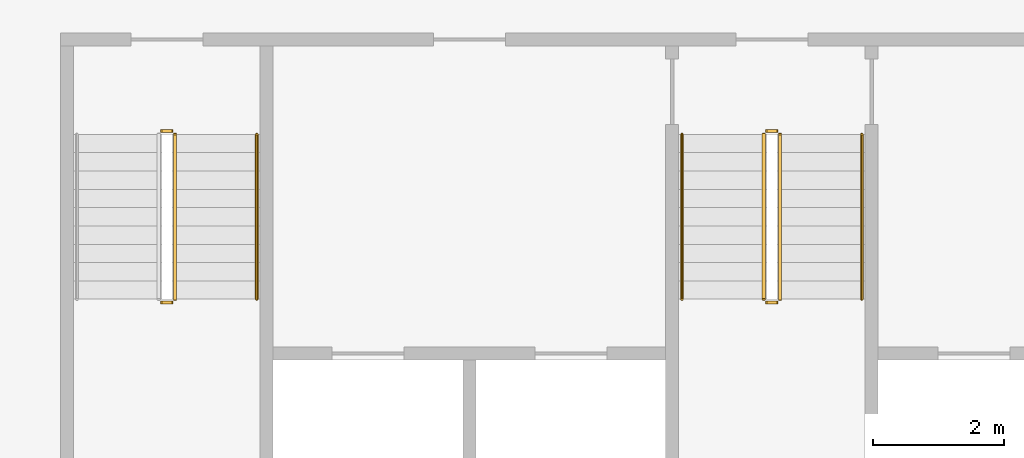
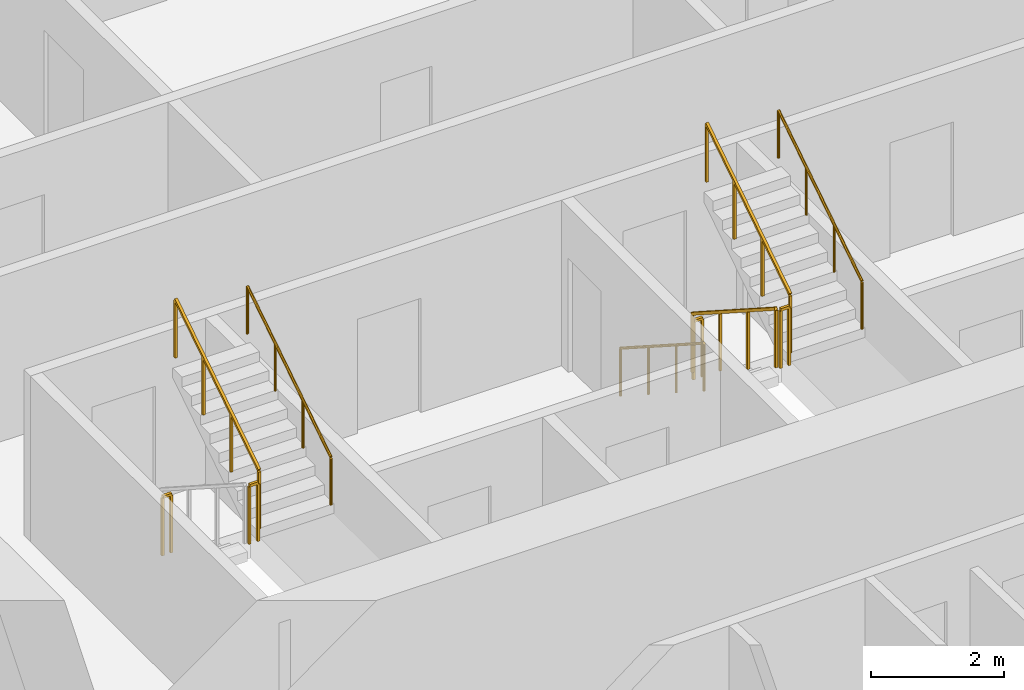
# One storey, part 14 of 16: 10 railings.
"""IFC4 building model written with IfcOpenShell, lengths in metres."""

from ifc_helpers import new_model, si_unit, direction, frame, origin, origin_2d, place, context, subcontext, project, spatial, rectangle, circle, extrude, material, type_object, element, save


model = new_model("IFC4")

# Units and contexts
model_context = context("Model", 3, precision=1e-05, world=origin(), true_north=direction((0.0, 1.0)))
body_context = subcontext(model_context, "Body", "Model", "MODEL_VIEW")
ifc_project = project(units=[si_unit("LENGTHUNIT", "METRE"), si_unit("AREAUNIT", "SQUARE_METRE"), si_unit("VOLUMEUNIT", "CUBIC_METRE"), si_unit("PLANEANGLEUNIT", "RADIAN"), si_unit("MASSUNIT", "GRAM", prefix="KILO")], contexts=[model_context])

# Site, building, storey
site_placement = place(None, origin())
site = spatial("IfcSite", under=ifc_project, at=site_placement, CompositionType="ELEMENT")
building_placement = place(site_placement, origin())
building = spatial("IfcBuilding", under=site, at=building_placement, Name="Mangrove Gate Tower", CompositionType="ELEMENT")
storey_placement = place(building_placement, frame((0.0, 0.0, 178.89990234375)))
storey = spatial("IfcBuildingStorey", under=building, at=storey_placement, Name="L45", CompositionType="ELEMENT", Elevation=178.89990234375)

# Railings
ifc_material_1 = material(Name="Stainless steel 316", Category="steel")
railing_type_1 = type_object("IfcRailingType", Name="Core stair guard 1100", PredefinedType="GUARDRAIL", material=ifc_material_1)
railing_1_placement = place(storey_placement, frame((-9.35009765625, -7.219970703125, 1.800048828125)))
element("IfcRailing", 1, at=railing_1_placement, inside=storey, type_object=railing_type_1, Name="L45 ST1 stair guard 2", PredefinedType="GUARDRAIL", context=body_context, shape_type="SweptSolid", body=[
    extrude(rectangle(XDim=0.048095703125, YDim=0.048095703125, at=origin_2d()), frame((0.0, 0.0, 1.076171875), z_axis=(1.0, 0.0, 0.0), x_axis=(0.0, 1.0, 0.0)), (0.0, 0.0, 1.0), 0.150146484375),
    extrude(rectangle(XDim=0.0419921875, YDim=0.0419921875, at=origin_2d()), origin(), (0.0, 0.0, 1.0), 1.052001953125),
    extrude(rectangle(XDim=0.0419921875, YDim=0.0419921875, at=origin_2d()), frame((0.150146484375, 0.0, 0.0)), (0.0, 0.0, 1.0), 1.052001953125),
])
railing_2_placement = place(storey_placement, frame((-9.14990234375, -7.169921875, 1.97998046875)))
element("IfcRailing", 2, at=railing_2_placement, inside=storey, type_object=railing_type_1, Name="L45 ST1 stair guard 3", PredefinedType="GUARDRAIL", context=body_context, shape_type="SweptSolid", body=[
    extrude(rectangle(XDim=0.048095703125, YDim=0.048095703125, at=origin_2d()), frame((0.0, 0.0, 1.076171875), z_axis=(0.0, 0.841162588446, 0.540782303519), x_axis=(-1.0, 0.0, 0.0)), (0.0, 0.0, 1.0), 2.995849609375),
    extrude(rectangle(XDim=0.0419921875, YDim=0.0419921875, at=origin_2d()), origin(), (0.0, 0.0, 1.0), 1.052001953125),
    extrude(rectangle(XDim=0.0419921875, YDim=0.0419921875, at=origin_2d()), frame((0.0, 0.840087890625, 0.5400390625)), (0.0, 0.0, 1.0), 1.052001953125),
    extrude(rectangle(XDim=0.0419921875, YDim=0.0419921875, at=origin_2d()), frame((0.0, 1.679931640625, 1.080078125)), (0.0, 0.0, 1.0), 1.052001953125),
    extrude(rectangle(XDim=0.0419921875, YDim=0.0419921875, at=origin_2d()), frame((0.0, 2.52001953125, 1.6201171875)), (0.0, 0.0, 1.0), 1.052001953125),
])
railing_3_placement = place(storey_placement, frame((-9.35009765625, -4.60009765625, 0.0)))
element("IfcRailing", 3, at=railing_3_placement, inside=storey, type_object=railing_type_1, Name="L45 ST1 stair guard 4", PredefinedType="GUARDRAIL", context=body_context, shape_type="SweptSolid", body=[
    extrude(rectangle(XDim=0.048095703125, YDim=0.048095703125, at=origin_2d()), frame((0.0, 0.0, 1.076171875), z_axis=(1.0, 0.0, 0.0), x_axis=(0.0, 1.0, 0.0)), (0.0, 0.0, 1.0), 0.150146484375),
    extrude(rectangle(XDim=0.0419921875, YDim=0.0419921875, at=origin_2d()), origin(), (0.0, 0.0, 1.0), 1.052001953125),
    extrude(rectangle(XDim=0.0419921875, YDim=0.0419921875, at=origin_2d()), frame((0.150146484375, 0.0, 0.0)), (0.0, 0.0, 1.0), 1.052001953125),
])
railing_4_placement = place(storey_placement, frame((-0.14990234375, -4.64990234375, 0.18017578125)))
element("IfcRailing", 4, at=railing_4_placement, inside=storey, type_object=railing_type_1, Name="L45 ST2 stair guard 1", PredefinedType="GUARDRAIL", context=body_context, shape_type="SweptSolid", body=[
    extrude(rectangle(XDim=0.048095703125, YDim=0.048095703125, at=origin_2d()), frame((0.0, 0.0, 1.076171875), z_axis=(0.0, -0.841199657755, 0.540724639528), x_axis=(1.0, 0.0, 0.0)), (0.0, 0.0, 1.0), 2.995849609375),
    extrude(rectangle(XDim=0.0419921875, YDim=0.0419921875, at=origin_2d()), origin(), (0.0, 0.0, 1.0), 1.052001953125),
    extrude(rectangle(XDim=0.0419921875, YDim=0.0419921875, at=origin_2d()), frame((0.0, -0.840087890625, 0.5400390625)), (0.0, 0.0, 1.0), 1.052001953125),
    extrude(rectangle(XDim=0.0419921875, YDim=0.0419921875, at=origin_2d()), frame((0.0, -1.679931640625, 1.079833984375)), (0.0, 0.0, 1.0), 1.052001953125),
    extrude(rectangle(XDim=0.0419921875, YDim=0.0419921875, at=origin_2d()), frame((0.0, -2.52001953125, 1.619873046875)), (0.0, 0.0, 1.0), 1.052001953125),
])
railing_5_placement = place(storey_placement, frame((-0.10009765625, -7.219970703125, 1.800048828125)))
element("IfcRailing", 5, at=railing_5_placement, inside=storey, type_object=railing_type_1, Name="L45 ST2 stair guard 2", PredefinedType="GUARDRAIL", context=body_context, shape_type="SweptSolid", body=[
    extrude(rectangle(XDim=0.048095703125, YDim=0.048095703125, at=origin_2d()), frame((0.0, 0.0, 1.076171875), z_axis=(1.0, 0.0, 0.0), x_axis=(0.0, 1.0, 0.0)), (0.0, 0.0, 1.0), 0.150146484375),
    extrude(rectangle(XDim=0.0419921875, YDim=0.0419921875, at=origin_2d()), origin(), (0.0, 0.0, 1.0), 1.052001953125),
    extrude(rectangle(XDim=0.0419921875, YDim=0.0419921875, at=origin_2d()), frame((0.150146484375, 0.0, 0.0)), (0.0, 0.0, 1.0), 1.052001953125),
])
railing_6_placement = place(storey_placement, frame((0.10009765625, -7.169921875, 1.97998046875)))
element("IfcRailing", 6, at=railing_6_placement, inside=storey, type_object=railing_type_1, Name="L45 ST2 stair guard 3", PredefinedType="GUARDRAIL", context=body_context, shape_type="SweptSolid", body=[
    extrude(rectangle(XDim=0.048095703125, YDim=0.048095703125, at=origin_2d()), frame((0.0, 0.0, 1.076171875), z_axis=(0.0, 0.841162588446, 0.540782303519), x_axis=(-1.0, 0.0, 0.0)), (0.0, 0.0, 1.0), 2.995849609375),
    extrude(rectangle(XDim=0.0419921875, YDim=0.0419921875, at=origin_2d()), origin(), (0.0, 0.0, 1.0), 1.052001953125),
    extrude(rectangle(XDim=0.0419921875, YDim=0.0419921875, at=origin_2d()), frame((0.0, 0.840087890625, 0.5400390625)), (0.0, 0.0, 1.0), 1.052001953125),
    extrude(rectangle(XDim=0.0419921875, YDim=0.0419921875, at=origin_2d()), frame((0.0, 1.679931640625, 1.080078125)), (0.0, 0.0, 1.0), 1.052001953125),
    extrude(rectangle(XDim=0.0419921875, YDim=0.0419921875, at=origin_2d()), frame((0.0, 2.52001953125, 1.6201171875)), (0.0, 0.0, 1.0), 1.052001953125),
])
railing_7_placement = place(storey_placement, frame((-0.10009765625, -4.60009765625, 0.0)))
element("IfcRailing", 7, at=railing_7_placement, inside=storey, type_object=railing_type_1, Name="L45 ST2 stair guard 4", PredefinedType="GUARDRAIL", context=body_context, shape_type="SweptSolid", body=[
    extrude(rectangle(XDim=0.048095703125, YDim=0.048095703125, at=origin_2d()), frame((0.0, 0.0, 1.076171875), z_axis=(1.0, 0.0, 0.0), x_axis=(0.0, 1.0, 0.0)), (0.0, 0.0, 1.0), 0.150146484375),
    extrude(rectangle(XDim=0.0419921875, YDim=0.0419921875, at=origin_2d()), origin(), (0.0, 0.0, 1.0), 1.052001953125),
    extrude(rectangle(XDim=0.0419921875, YDim=0.0419921875, at=origin_2d()), frame((0.150146484375, 0.0, 0.0)), (0.0, 0.0, 1.0), 1.052001953125),
])
ifc_material_2 = material(Name="Stainless steel 316", Category="steel")
railing_type_2 = type_object("IfcRailingType", Name="Core stair handrail 900", PredefinedType="HANDRAIL", material=ifc_material_2)
railing_8_placement = place(storey_placement, frame((-7.89990234375, -7.169921875, 1.97998046875)))
element("IfcRailing", 8, at=railing_8_placement, inside=storey, type_object=railing_type_2, Name="L45 ST1 stair handrail 2", PredefinedType="HANDRAIL", context=body_context, shape_type="SweptSolid", body=[
    extrude(circle(Radius=0.02392578125, at=origin_2d()), frame((0.0, 0.0, 0.8759765625), z_axis=(0.0, 0.841162588446, 0.540782303519), x_axis=(-1.0, 0.0, 0.0)), (0.0, 0.0, 1.0), 2.995849609375),
    extrude(circle(Radius=0.02099609375, at=origin_2d()), origin(), (0.0, 0.0, 1.0), 0.851806640625),
    extrude(circle(Radius=0.02099609375, at=origin_2d()), frame((0.0, 0.840087890625, 0.5400390625)), (0.0, 0.0, 1.0), 0.851806640625),
    extrude(circle(Radius=0.02099609375, at=origin_2d()), frame((0.0, 1.679931640625, 1.080078125)), (0.0, 0.0, 1.0), 0.851806640625),
    extrude(circle(Radius=0.02099609375, at=origin_2d()), frame((0.0, 2.52001953125, 1.6201171875)), (0.0, 0.0, 1.0), 0.851806640625),
])
railing_9_placement = place(storey_placement, frame((-1.39990234375, -4.64990234375, 0.18017578125)))
element("IfcRailing", 9, at=railing_9_placement, inside=storey, type_object=railing_type_2, Name="L45 ST2 stair handrail 1", PredefinedType="HANDRAIL", context=body_context, shape_type="SweptSolid", body=[
    extrude(circle(Radius=0.02392578125, at=origin_2d()), frame((0.0, 0.0, 0.8759765625), z_axis=(0.0, -0.841199657755, 0.540724639528), x_axis=(1.0, 0.0, 0.0)), (0.0, 0.0, 1.0), 2.995849609375),
    extrude(circle(Radius=0.02099609375, at=origin_2d()), origin(), (0.0, 0.0, 1.0), 0.851806640625),
    extrude(circle(Radius=0.02099609375, at=origin_2d()), frame((0.0, -0.840087890625, 0.5400390625)), (0.0, 0.0, 1.0), 0.851806640625),
    extrude(circle(Radius=0.02099609375, at=origin_2d()), frame((0.0, -1.679931640625, 1.079833984375)), (0.0, 0.0, 1.0), 0.851806640625),
    extrude(circle(Radius=0.02099609375, at=origin_2d()), frame((0.0, -2.52001953125, 1.619873046875)), (0.0, 0.0, 1.0), 0.851806640625),
])
railing_10_placement = place(storey_placement, frame((1.35009765625, -7.169921875, 1.97998046875)))
element("IfcRailing", 10, at=railing_10_placement, inside=storey, type_object=railing_type_2, Name="L45 ST2 stair handrail 2", PredefinedType="HANDRAIL", context=body_context, shape_type="SweptSolid", body=[
    extrude(circle(Radius=0.02392578125, at=origin_2d()), frame((0.0, 0.0, 0.8759765625), z_axis=(0.0, 0.841162588446, 0.540782303519), x_axis=(-1.0, 0.0, 0.0)), (0.0, 0.0, 1.0), 2.995849609375),
    extrude(circle(Radius=0.02099609375, at=origin_2d()), origin(), (0.0, 0.0, 1.0), 0.851806640625),
    extrude(circle(Radius=0.02099609375, at=origin_2d()), frame((0.0, 0.840087890625, 0.5400390625)), (0.0, 0.0, 1.0), 0.851806640625),
    extrude(circle(Radius=0.02099609375, at=origin_2d()), frame((0.0, 1.679931640625, 1.080078125)), (0.0, 0.0, 1.0), 0.851806640625),
    extrude(circle(Radius=0.02099609375, at=origin_2d()), frame((0.0, 2.52001953125, 1.6201171875)), (0.0, 0.0, 1.0), 0.851806640625),
])

save(model, "model.ifc")
